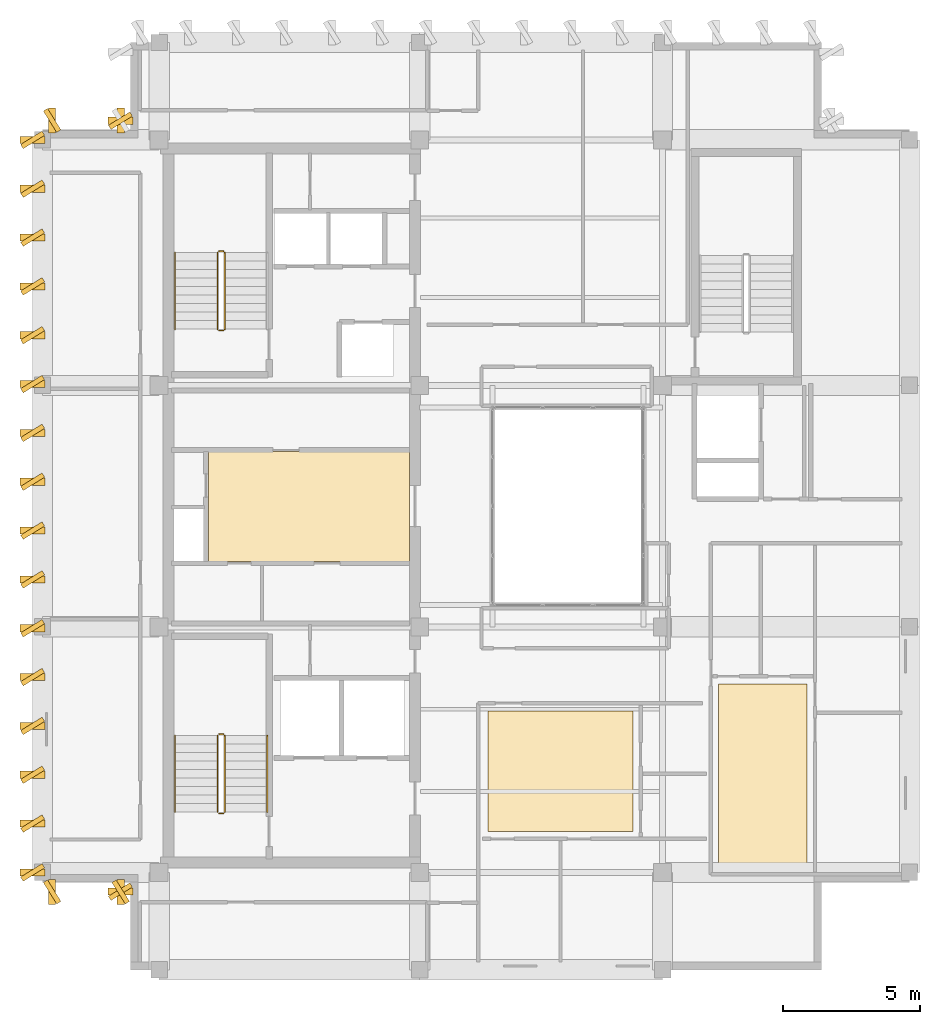
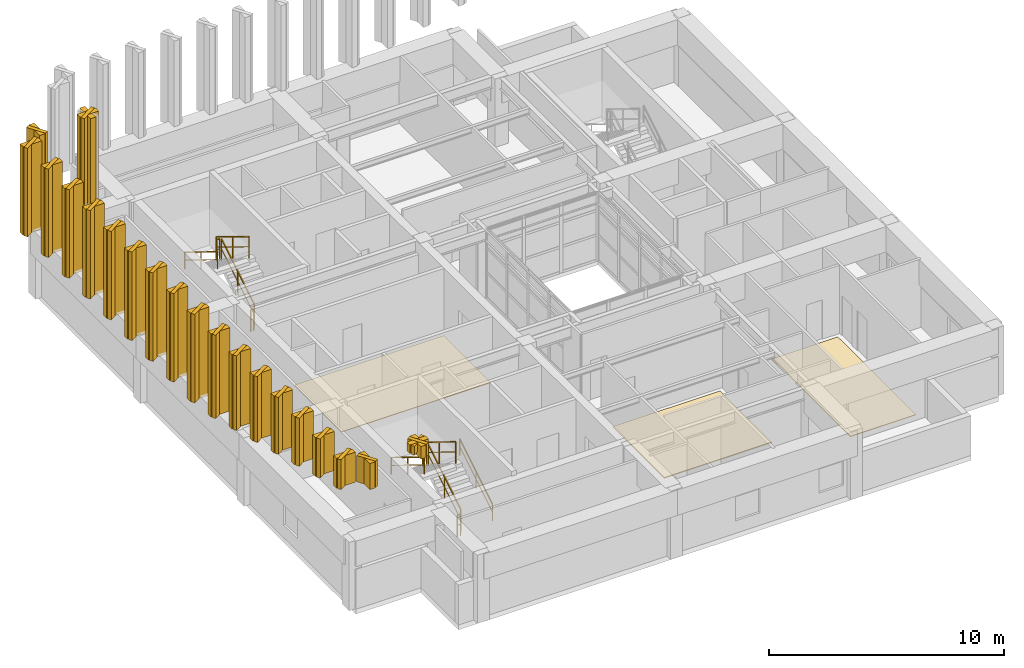
# One storey, part 10 of 11: 25 coverings, 21 shading devices, 11 railings.
"""IFC4 building model written with IfcOpenShell, lengths in metres."""

from ifc_helpers import new_model, si_unit, direction, frame, origin, origin_2d, place, context, subcontext, project, spatial, polyline, rectangle, outline, extrude, material, layer, layer_set, type_object, element, save


model = new_model("IFC4")

# Units and contexts
model_context = context("Model", 3, precision=1e-05, world=origin(), true_north=direction((0.0, 1.0)))
body_context = subcontext(model_context, "Body", "Model", "MODEL_VIEW")
ifc_project = project(units=[si_unit("LENGTHUNIT", "METRE"), si_unit("AREAUNIT", "SQUARE_METRE"), si_unit("VOLUMEUNIT", "CUBIC_METRE"), si_unit("PLANEANGLEUNIT", "RADIAN"), si_unit("MASSUNIT", "GRAM", prefix="KILO")], contexts=[model_context])

# Site, building, storey
site_placement = place(None, origin())
site = spatial("IfcSite", under=ifc_project, at=site_placement, CompositionType="ELEMENT")
building_placement = place(site_placement, origin())
building = spatial("IfcBuilding", under=site, at=building_placement, Name="Kundavana Baori Tower", CompositionType="ELEMENT")
storey_placement = place(building_placement, frame((0.0, 0.0, 346.699951171875)))
storey = spatial("IfcBuildingStorey", under=building, at=storey_placement, Name="L86", CompositionType="ELEMENT", Elevation=346.699951171875)

# Coverings
ifc_material_1 = material(Name="Honed Kota Stone and Terrazzo Flooring", Category="masonry")
ifc_layer_1 = layer(ifc_material_1, 0.0400390625, Name="COV-FLR-TERR-40")
ifc_layer_set_1 = layer_set([ifc_layer_1], Name="Honed Kota Stone and Terrazzo Flooring")
covering_type_1 = type_object("IfcCoveringType", Name="COV-FLR-TERR-40", PredefinedType="FLOORING", material=ifc_layer_set_1)
covering_1_placement = place(storey_placement, origin())
element("IfcCovering", 1, at=covering_1_placement, inside=storey, type_object=covering_type_1, Name="L86 Room Finished Stone Flooring 1", PredefinedType="FLOORING", context=body_context, shape_type="SweptSolid", body=[
    extrude(outline(polyline([(27.43994140625, 16.75), (32.719970703125, 16.75), (32.719970703125, 21.139892578125), (27.43994140625, 21.139892578125), (27.43994140625, 16.75)])), origin(), (0.0, 0.0, 1.0), 0.0400390625),
])
ifc_material_2 = material(Name="Honed Kota Stone and Terrazzo Flooring", Category="masonry")
ifc_layer_2 = layer(ifc_material_2, 0.030029296875, Name="COV-INT-FLR")
ifc_layer_set_2 = layer_set([ifc_layer_2], Name="Honed Kota Stone and Terrazzo Flooring")
covering_type_2 = type_object("IfcCoveringType", Name="COV-INT-FLR", PredefinedType="FLOORING", material=ifc_layer_set_2)
covering_2_placement = place(storey_placement, origin())
element("IfcCovering", 2, at=covering_2_placement, inside=storey, type_object=covering_type_2, Name="L86 Room Finished Stone Flooring 2", PredefinedType="FLOORING", context=body_context, shape_type="SweptSolid", body=[
    extrude(outline(polyline([(35.840087890625, 15.4599609375), (39.070068359375, 15.4599609375), (39.070068359375, 22.1201171875), (35.840087890625, 22.1201171875), (35.840087890625, 15.4599609375)])), origin(), (0.0, 0.0, 1.0), 0.030029296875),
])
covering_3_placement = place(storey_placement, origin())
element("IfcCovering", 3, at=covering_3_placement, inside=storey, type_object=covering_type_2, Name="L86 Core Lift Lobby Kota Stone Flooring", PredefinedType="FLOORING", context=body_context, shape_type="SweptSolid", body=[
    extrude(outline(polyline([(17.25, 26.580078125), (24.580078125, 26.580078125), (24.580078125, 30.60009765625), (17.25, 30.60009765625), (17.25, 26.580078125)])), origin(), (0.0, 0.0, 1.0), 0.030029296875),
])
ifc_material_3 = material(Name="Cream-White Makrana Limestone on Concrete C40/50", Category="masonry")
ifc_layer_3 = layer(ifc_material_3, 0.239990234375, Name="COV-SAIL-FIN")
ifc_layer_set_3 = layer_set([ifc_layer_3], Name="Cream-White Makrana Limestone on Concrete C40/50")
covering_type_3 = type_object("IfcCoveringType", Name="COV-SAIL-FIN", PredefinedType="CLADDING", material=ifc_layer_set_3)
covering_4_placement = place(storey_placement, frame((0.0, 0.0, 3.400146484375)))
element("IfcCovering", 4, at=covering_4_placement, inside=storey, type_object=covering_type_3, Name="L86 Climbing Makrana White Limestone Sail Fin 056", PredefinedType="CLADDING", context=body_context, shape_type="SweptSolid", body=[
    extrude(outline(polyline([(13.580078125, 42.52001953125), (14.5, 42.52001953125), (14.5, 42.780029296875), (13.580078125, 42.780029296875), (13.580078125, 42.52001953125)])), origin(), (0.0, 0.0, 1.0), 4.599853515625),
])
covering_5_placement = place(storey_placement, frame((0.0, 0.0, 3.400146484375)))
element("IfcCovering", 5, at=covering_5_placement, inside=storey, type_object=covering_type_3, Name="L86 Climbing Makrana White Limestone Sail Fin 057", PredefinedType="CLADDING", context=body_context, shape_type="SweptSolid", body=[
    extrude(outline(polyline([(13.919921875, 42.199951171875), (14.179931640625, 42.199951171875), (14.179931640625, 43.1201171875), (13.919921875, 43.1201171875), (13.919921875, 42.199951171875)])), origin(), (0.0, 0.0, 1.0), 4.599853515625),
])
covering_6_placement = place(storey_placement, frame((0.0, 0.0, 3.400146484375)))
element("IfcCovering", 6, at=covering_6_placement, inside=storey, type_object=covering_type_3, Name="L86 Climbing Makrana White Limestone Sail Fin 058", PredefinedType="CLADDING", context=body_context, shape_type="SweptSolid", body=[
    extrude(outline(polyline([(11.419921875, 42.199951171875), (11.679931640625, 42.199951171875), (11.679931640625, 43.1201171875), (11.419921875, 43.1201171875), (11.419921875, 42.199951171875)])), origin(), (0.0, 0.0, 1.0), 4.599853515625),
])
covering_7_placement = place(storey_placement, frame((0.0, 0.0, 3.400146484375)))
element("IfcCovering", 7, at=covering_7_placement, inside=storey, type_object=covering_type_3, Name="L86 Climbing Makrana White Limestone Sail Fin 059", PredefinedType="CLADDING", context=body_context, shape_type="SweptSolid", body=[
    extrude(outline(polyline([(10.3798828125, 41.820068359375), (11.300048828125, 41.820068359375), (11.300048828125, 42.080078125), (10.3798828125, 42.080078125), (10.3798828125, 41.820068359375)])), origin(), (0.0, 0.0, 1.0), 4.599853515625),
])
covering_8_placement = place(storey_placement, frame((0.0, 0.0, 3.400146484375)))
element("IfcCovering", 8, at=covering_8_placement, inside=storey, type_object=covering_type_3, Name="L86 Climbing Makrana White Limestone Sail Fin 060", PredefinedType="CLADDING", context=body_context, shape_type="SweptSolid", body=[
    extrude(outline(polyline([(10.3798828125, 40.0400390625), (11.300048828125, 40.0400390625), (11.300048828125, 40.300048828125), (10.3798828125, 40.300048828125), (10.3798828125, 40.0400390625)])), origin(), (0.0, 0.0, 1.0), 4.599853515625),
])
covering_9_placement = place(storey_placement, frame((0.0, 0.0, 3.400146484375)))
element("IfcCovering", 9, at=covering_9_placement, inside=storey, type_object=covering_type_3, Name="L86 Climbing Makrana White Limestone Sail Fin 061", PredefinedType="CLADDING", context=body_context, shape_type="SweptSolid", body=[
    extrude(outline(polyline([(10.3798828125, 38.260009765625), (11.300048828125, 38.260009765625), (11.300048828125, 38.52001953125), (10.3798828125, 38.52001953125), (10.3798828125, 38.260009765625)])), origin(), (0.0, 0.0, 1.0), 4.599853515625),
])
covering_10_placement = place(storey_placement, frame((0.0, 0.0, 3.400146484375)))
element("IfcCovering", 10, at=covering_10_placement, inside=storey, type_object=covering_type_3, Name="L86 Climbing Makrana White Limestone Sail Fin 062", PredefinedType="CLADDING", context=body_context, shape_type="SweptSolid", body=[
    extrude(outline(polyline([(10.3798828125, 36.47998046875), (11.300048828125, 36.47998046875), (11.300048828125, 36.739990234375), (10.3798828125, 36.739990234375), (10.3798828125, 36.47998046875)])), origin(), (0.0, 0.0, 1.0), 4.599853515625),
])
covering_11_placement = place(storey_placement, frame((0.0, 0.0, 3.400146484375)))
element("IfcCovering", 11, at=covering_11_placement, inside=storey, type_object=covering_type_3, Name="L86 Climbing Makrana White Limestone Sail Fin 063", PredefinedType="CLADDING", context=body_context, shape_type="SweptSolid", body=[
    extrude(outline(polyline([(10.3798828125, 34.699951171875), (11.300048828125, 34.699951171875), (11.300048828125, 34.9599609375), (10.3798828125, 34.9599609375), (10.3798828125, 34.699951171875)])), origin(), (0.0, 0.0, 1.0), 4.599853515625),
])
covering_12_placement = place(storey_placement, frame((0.0, 0.0, 3.400146484375)))
element("IfcCovering", 12, at=covering_12_placement, inside=storey, type_object=covering_type_3, Name="L86 Climbing Makrana White Limestone Sail Fin 064", PredefinedType="CLADDING", context=body_context, shape_type="SweptSolid", body=[
    extrude(outline(polyline([(10.3798828125, 32.919921875), (11.300048828125, 32.919921875), (11.300048828125, 33.179931640625), (10.3798828125, 33.179931640625), (10.3798828125, 32.919921875)])), origin(), (0.0, 0.0, 1.0), 4.599853515625),
])
covering_13_placement = place(storey_placement, frame((0.0, 0.0, 3.400146484375)))
element("IfcCovering", 13, at=covering_13_placement, inside=storey, type_object=covering_type_3, Name="L86 Climbing Makrana White Limestone Sail Fin 065", PredefinedType="CLADDING", context=body_context, shape_type="SweptSolid", body=[
    extrude(outline(polyline([(10.3798828125, 31.139892578125), (11.300048828125, 31.139892578125), (11.300048828125, 31.39990234375), (10.3798828125, 31.39990234375), (10.3798828125, 31.139892578125)])), origin(), (0.0, 0.0, 1.0), 4.599853515625),
])
covering_14_placement = place(storey_placement, frame((0.0, 0.0, 3.400146484375)))
element("IfcCovering", 14, at=covering_14_placement, inside=storey, type_object=covering_type_3, Name="L86 Climbing Makrana White Limestone Sail Fin 066", PredefinedType="CLADDING", context=body_context, shape_type="SweptSolid", body=[
    extrude(outline(polyline([(10.3798828125, 29.360107421875), (11.300048828125, 29.360107421875), (11.300048828125, 29.6201171875), (10.3798828125, 29.6201171875), (10.3798828125, 29.360107421875)])), origin(), (0.0, 0.0, 1.0), 4.599853515625),
])
covering_15_placement = place(storey_placement, frame((0.0, 0.0, 3.400146484375)))
element("IfcCovering", 15, at=covering_15_placement, inside=storey, type_object=covering_type_3, Name="L86 Climbing Makrana White Limestone Sail Fin 067", PredefinedType="CLADDING", context=body_context, shape_type="SweptSolid", body=[
    extrude(outline(polyline([(10.3798828125, 27.580078125), (11.300048828125, 27.580078125), (11.300048828125, 27.840087890625), (10.3798828125, 27.840087890625), (10.3798828125, 27.580078125)])), origin(), (0.0, 0.0, 1.0), 4.599853515625),
])
covering_16_placement = place(storey_placement, frame((0.0, 0.0, 3.666015625)))
element("IfcCovering", 16, at=covering_16_placement, inside=storey, type_object=covering_type_3, Name="L86 Climbing Makrana White Limestone Sail Fin 068", PredefinedType="CLADDING", context=body_context, shape_type="SweptSolid", body=[
    extrude(outline(polyline([(10.3798828125, 25.800048828125), (11.300048828125, 25.800048828125), (11.300048828125, 26.06005859375), (10.3798828125, 26.06005859375), (10.3798828125, 25.800048828125)])), origin(), (0.0, 0.0, 1.0), 4.333984375),
])
covering_17_placement = place(storey_placement, frame((0.0, 0.0, 4.1220703125)))
element("IfcCovering", 17, at=covering_17_placement, inside=storey, type_object=covering_type_3, Name="L86 Climbing Makrana White Limestone Sail Fin 069", PredefinedType="CLADDING", context=body_context, shape_type="SweptSolid", body=[
    extrude(outline(polyline([(10.3798828125, 24.02001953125), (11.300048828125, 24.02001953125), (11.300048828125, 24.280029296875), (10.3798828125, 24.280029296875), (10.3798828125, 24.02001953125)])), origin(), (0.0, 0.0, 1.0), 3.8779296875),
])
covering_18_placement = place(storey_placement, frame((0.0, 0.0, 4.58056640625)))
element("IfcCovering", 18, at=covering_18_placement, inside=storey, type_object=covering_type_3, Name="L86 Climbing Makrana White Limestone Sail Fin 070", PredefinedType="CLADDING", context=body_context, shape_type="SweptSolid", body=[
    extrude(outline(polyline([(10.3798828125, 22.239990234375), (11.300048828125, 22.239990234375), (11.300048828125, 22.5), (10.3798828125, 22.5), (10.3798828125, 22.239990234375)])), origin(), (0.0, 0.0, 1.0), 3.41943359375),
])
covering_19_placement = place(storey_placement, frame((0.0, 0.0, 5.0419921875)))
element("IfcCovering", 19, at=covering_19_placement, inside=storey, type_object=covering_type_3, Name="L86 Climbing Makrana White Limestone Sail Fin 071", PredefinedType="CLADDING", context=body_context, shape_type="SweptSolid", body=[
    extrude(outline(polyline([(10.3798828125, 20.4599609375), (11.300048828125, 20.4599609375), (11.300048828125, 20.719970703125), (10.3798828125, 20.719970703125), (10.3798828125, 20.4599609375)])), origin(), (0.0, 0.0, 1.0), 2.9580078125),
])
covering_20_placement = place(storey_placement, frame((0.0, 0.0, 5.50634765625)))
element("IfcCovering", 20, at=covering_20_placement, inside=storey, type_object=covering_type_3, Name="L86 Climbing Makrana White Limestone Sail Fin 072", PredefinedType="CLADDING", context=body_context, shape_type="SweptSolid", body=[
    extrude(outline(polyline([(10.3798828125, 18.679931640625), (11.300048828125, 18.679931640625), (11.300048828125, 18.93994140625), (10.3798828125, 18.93994140625), (10.3798828125, 18.679931640625)])), origin(), (0.0, 0.0, 1.0), 2.49365234375),
])
covering_21_placement = place(storey_placement, frame((0.0, 0.0, 5.9736328125)))
element("IfcCovering", 21, at=covering_21_placement, inside=storey, type_object=covering_type_3, Name="L86 Climbing Makrana White Limestone Sail Fin 073", PredefinedType="CLADDING", context=body_context, shape_type="SweptSolid", body=[
    extrude(outline(polyline([(10.3798828125, 16.89990234375), (11.300048828125, 16.89990234375), (11.300048828125, 17.159912109375), (10.3798828125, 17.159912109375), (10.3798828125, 16.89990234375)])), origin(), (0.0, 0.0, 1.0), 2.0263671875),
])
covering_22_placement = place(storey_placement, frame((0.0, 0.0, 6.444091796875)))
element("IfcCovering", 22, at=covering_22_placement, inside=storey, type_object=covering_type_3, Name="L86 Climbing Makrana White Limestone Sail Fin 074", PredefinedType="CLADDING", context=body_context, shape_type="SweptSolid", body=[
    extrude(outline(polyline([(10.3798828125, 15.1201171875), (11.300048828125, 15.1201171875), (11.300048828125, 15.3798828125), (10.3798828125, 15.3798828125), (10.3798828125, 15.1201171875)])), origin(), (0.0, 0.0, 1.0), 1.555908203125),
])
covering_23_placement = place(storey_placement, frame((0.0, 0.0, 6.636474609375)))
element("IfcCovering", 23, at=covering_23_placement, inside=storey, type_object=covering_type_3, Name="L86 Climbing Makrana White Limestone Sail Fin 075", PredefinedType="CLADDING", context=body_context, shape_type="SweptSolid", body=[
    extrude(outline(polyline([(11.419921875, 14.080078125), (11.679931640625, 14.080078125), (11.679931640625, 15.0), (11.419921875, 15.0), (11.419921875, 14.080078125)])), origin(), (0.0, 0.0, 1.0), 1.363525390625),
])
covering_24_placement = place(storey_placement, frame((0.0, 0.0, 7.35205078125)))
element("IfcCovering", 24, at=covering_24_placement, inside=storey, type_object=covering_type_3, Name="L86 Climbing Makrana White Limestone Sail Fin 076", PredefinedType="CLADDING", context=body_context, shape_type="SweptSolid", body=[
    extrude(outline(polyline([(13.919921875, 14.080078125), (14.179931640625, 14.080078125), (14.179931640625, 15.0), (13.919921875, 15.0), (13.919921875, 14.080078125)])), origin(), (0.0, 0.0, 1.0), 0.64794921875),
])
covering_25_placement = place(storey_placement, frame((0.0, 0.0, 7.547119140625)))
element("IfcCovering", 25, at=covering_25_placement, inside=storey, type_object=covering_type_3, Name="L86 Climbing Makrana White Limestone Sail Fin 077", PredefinedType="CLADDING", context=body_context, shape_type="SweptSolid", body=[
    extrude(outline(polyline([(13.580078125, 14.419921875), (14.5, 14.419921875), (14.5, 14.679931640625), (13.580078125, 14.679931640625), (13.580078125, 14.419921875)])), origin(), (0.0, 0.0, 1.0), 0.452880859375),
])

# Railings
ifc_material_4 = material(Name="Architectural Patinated Bronze Metalwork")
railing_type_1 = type_object("IfcRailingType", Name="RL-GRD-1150", PredefinedType="GUARDRAIL", material=ifc_material_4)
railing_1_placement = place(storey_placement, frame((17.840087890625, 17.449951171875, 0.18994140625)))
element("IfcRailing", 26, at=railing_1_placement, inside=storey, type_object=railing_type_1, Name="L86 ST1 stair guard 1", PredefinedType="GUARDRAIL", context=body_context, shape_type="SweptSolid", body=[
    extrude(rectangle(XDim=0.048095703125, YDim=0.048095703125, at=origin_2d()), frame((0.0, 0.0, 1.1259765625), z_axis=(0.0, 0.852576590321, 0.522602293945), x_axis=(-1.0, 0.0, 0.0)), (0.0, 0.0, 1.0), 3.2724609375),
    extrude(rectangle(XDim=0.03125, YDim=0.03125, at=origin_2d()), frame((0.0, 0.0, 0.597900390625), z_axis=(0.0, 0.852576590321, 0.522602293945), x_axis=(-1.0, 0.0, 0.0)), (0.0, 0.0, 1.0), 3.2724609375),
    extrude(rectangle(XDim=0.0419921875, YDim=0.0419921875, at=origin_2d()), origin(), (0.0, 0.0, 1.0), 1.101806640625),
    extrude(rectangle(XDim=0.0419921875, YDim=0.0419921875, at=origin_2d()), frame((0.0, 1.39501953125, 0.85498046875)), (0.0, 0.0, 1.0), 1.101806640625),
    extrude(rectangle(XDim=0.0419921875, YDim=0.0419921875, at=origin_2d()), frame((0.0, 2.7900390625, 1.710205078125)), (0.0, 0.0, 1.0), 1.101806640625),
])
railing_2_placement = place(storey_placement, frame((17.7900390625, 20.2900390625, 1.900146484375)))
element("IfcRailing", 27, at=railing_2_placement, inside=storey, type_object=railing_type_1, Name="L86 ST1 stair guard 2", PredefinedType="GUARDRAIL", context=body_context, shape_type="SweptSolid", body=[
    extrude(rectangle(XDim=0.048095703125, YDim=0.048095703125, at=origin_2d()), frame((0.0, 0.0, 1.1259765625), z_axis=(-1.0, 0.0, 0.0), x_axis=(0.0, -1.0, 0.0)), (0.0, 0.0, 1.0), 0.16015625),
    extrude(rectangle(XDim=0.03125, YDim=0.03125, at=origin_2d()), frame((0.0, 0.0, 0.597900390625), z_axis=(-1.0, 0.0, 0.0), x_axis=(0.0, -1.0, 0.0)), (0.0, 0.0, 1.0), 0.16015625),
    extrude(rectangle(XDim=0.0419921875, YDim=0.0419921875, at=origin_2d()), origin(), (0.0, 0.0, 1.0), 1.101806640625),
    extrude(rectangle(XDim=0.0419921875, YDim=0.0419921875, at=origin_2d()), frame((-0.16015625, 0.0, 0.0)), (0.0, 0.0, 1.0), 1.101806640625),
])
railing_3_placement = place(storey_placement, frame((17.580078125, 20.239990234375, 2.090087890625)))
element("IfcRailing", 28, at=railing_3_placement, inside=storey, type_object=railing_type_1, Name="L86 ST1 stair guard 3", PredefinedType="GUARDRAIL", context=body_context, shape_type="SweptSolid", body=[
    extrude(rectangle(XDim=0.048095703125, YDim=0.048095703125, at=origin_2d()), frame((0.0, 0.0, 1.1259765625), z_axis=(0.0, -0.852609830418, 0.522548061975), x_axis=(1.0, 0.0, 0.0)), (0.0, 0.0, 1.0), 3.2724609375),
    extrude(rectangle(XDim=0.03125, YDim=0.03125, at=origin_2d()), frame((0.0, 0.0, 0.597900390625), z_axis=(0.0, -0.852609830418, 0.522548061975), x_axis=(1.0, 0.0, 0.0)), (0.0, 0.0, 1.0), 3.2724609375),
    extrude(rectangle(XDim=0.0419921875, YDim=0.0419921875, at=origin_2d()), origin(), (0.0, 0.0, 1.0), 1.101806640625),
    extrude(rectangle(XDim=0.0419921875, YDim=0.0419921875, at=origin_2d()), frame((0.0, -1.39501953125, 0.85498046875)), (0.0, 0.0, 1.0), 1.101806640625),
    extrude(rectangle(XDim=0.0419921875, YDim=0.0419921875, at=origin_2d()), frame((0.0, -2.7900390625, 1.7099609375)), (0.0, 0.0, 1.0), 1.101806640625),
])
railing_4_placement = place(storey_placement, frame((17.7900390625, 17.39990234375, 0.0)))
element("IfcRailing", 29, at=railing_4_placement, inside=storey, type_object=railing_type_1, Name="L86 ST1 stair guard 4", PredefinedType="GUARDRAIL", context=body_context, shape_type="SweptSolid", body=[
    extrude(rectangle(XDim=0.048095703125, YDim=0.048095703125, at=origin_2d()), frame((0.0, 0.0, 1.1259765625), z_axis=(-1.0, 0.0, 0.0), x_axis=(0.0, -1.0, 0.0)), (0.0, 0.0, 1.0), 0.16015625),
    extrude(rectangle(XDim=0.03125, YDim=0.03125, at=origin_2d()), frame((0.0, 0.0, 0.597900390625), z_axis=(-1.0, 0.0, 0.0), x_axis=(0.0, -1.0, 0.0)), (0.0, 0.0, 1.0), 0.16015625),
    extrude(rectangle(XDim=0.0419921875, YDim=0.0419921875, at=origin_2d()), origin(), (0.0, 0.0, 1.0), 1.101806640625),
    extrude(rectangle(XDim=0.0419921875, YDim=0.0419921875, at=origin_2d()), frame((-0.16015625, 0.0, 0.0)), (0.0, 0.0, 1.0), 1.101806640625),
])
railing_5_placement = place(storey_placement, frame((17.840087890625, 35.050048828125, 0.18994140625)))
element("IfcRailing", 30, at=railing_5_placement, inside=storey, type_object=railing_type_1, Name="L86 ST2 stair guard 1", PredefinedType="GUARDRAIL", context=body_context, shape_type="SweptSolid", body=[
    extrude(rectangle(XDim=0.048095703125, YDim=0.048095703125, at=origin_2d()), frame((0.0, 0.0, 1.1259765625), z_axis=(0.0, 0.852576590321, 0.522602293945), x_axis=(-1.0, 0.0, 0.0)), (0.0, 0.0, 1.0), 3.2724609375),
    extrude(rectangle(XDim=0.03125, YDim=0.03125, at=origin_2d()), frame((0.0, 0.0, 0.597900390625), z_axis=(0.0, 0.852576590321, 0.522602293945), x_axis=(-1.0, 0.0, 0.0)), (0.0, 0.0, 1.0), 3.2724609375),
    extrude(rectangle(XDim=0.0419921875, YDim=0.0419921875, at=origin_2d()), origin(), (0.0, 0.0, 1.0), 1.101806640625),
    extrude(rectangle(XDim=0.0419921875, YDim=0.0419921875, at=origin_2d()), frame((0.0, 1.39501953125, 0.85498046875)), (0.0, 0.0, 1.0), 1.101806640625),
    extrude(rectangle(XDim=0.0419921875, YDim=0.0419921875, at=origin_2d()), frame((0.0, 2.7900390625, 1.710205078125)), (0.0, 0.0, 1.0), 1.101806640625),
])
railing_6_placement = place(storey_placement, frame((17.7900390625, 37.889892578125, 1.900146484375)))
element("IfcRailing", 31, at=railing_6_placement, inside=storey, type_object=railing_type_1, Name="L86 ST2 stair guard 2", PredefinedType="GUARDRAIL", context=body_context, shape_type="SweptSolid", body=[
    extrude(rectangle(XDim=0.048095703125, YDim=0.048095703125, at=origin_2d()), frame((0.0, 0.0, 1.1259765625), z_axis=(-1.0, 0.0, 0.0), x_axis=(0.0, -1.0, 0.0)), (0.0, 0.0, 1.0), 0.16015625),
    extrude(rectangle(XDim=0.03125, YDim=0.03125, at=origin_2d()), frame((0.0, 0.0, 0.597900390625), z_axis=(-1.0, 0.0, 0.0), x_axis=(0.0, -1.0, 0.0)), (0.0, 0.0, 1.0), 0.16015625),
    extrude(rectangle(XDim=0.0419921875, YDim=0.0419921875, at=origin_2d()), origin(), (0.0, 0.0, 1.0), 1.101806640625),
    extrude(rectangle(XDim=0.0419921875, YDim=0.0419921875, at=origin_2d()), frame((-0.16015625, 0.0, 0.0)), (0.0, 0.0, 1.0), 1.101806640625),
])
railing_7_placement = place(storey_placement, frame((17.580078125, 37.840087890625, 2.090087890625)))
element("IfcRailing", 32, at=railing_7_placement, inside=storey, type_object=railing_type_1, Name="L86 ST2 stair guard 3", PredefinedType="GUARDRAIL", context=body_context, shape_type="SweptSolid", body=[
    extrude(rectangle(XDim=0.048095703125, YDim=0.048095703125, at=origin_2d()), frame((0.0, 0.0, 1.1259765625), z_axis=(0.0, -0.852609830418, 0.522548061975), x_axis=(1.0, 0.0, 0.0)), (0.0, 0.0, 1.0), 3.2724609375),
    extrude(rectangle(XDim=0.03125, YDim=0.03125, at=origin_2d()), frame((0.0, 0.0, 0.597900390625), z_axis=(0.0, -0.852609830418, 0.522548061975), x_axis=(1.0, 0.0, 0.0)), (0.0, 0.0, 1.0), 3.2724609375),
    extrude(rectangle(XDim=0.0419921875, YDim=0.0419921875, at=origin_2d()), origin(), (0.0, 0.0, 1.0), 1.101806640625),
    extrude(rectangle(XDim=0.0419921875, YDim=0.0419921875, at=origin_2d()), frame((0.0, -1.39501953125, 0.85498046875)), (0.0, 0.0, 1.0), 1.101806640625),
    extrude(rectangle(XDim=0.0419921875, YDim=0.0419921875, at=origin_2d()), frame((0.0, -2.7900390625, 1.7099609375)), (0.0, 0.0, 1.0), 1.101806640625),
])
railing_8_placement = place(storey_placement, frame((17.7900390625, 35.0, 0.0)))
element("IfcRailing", 33, at=railing_8_placement, inside=storey, type_object=railing_type_1, Name="L86 ST2 stair guard 4", PredefinedType="GUARDRAIL", context=body_context, shape_type="SweptSolid", body=[
    extrude(rectangle(XDim=0.048095703125, YDim=0.048095703125, at=origin_2d()), frame((0.0, 0.0, 1.1259765625), z_axis=(-1.0, 0.0, 0.0), x_axis=(0.0, -1.0, 0.0)), (0.0, 0.0, 1.0), 0.16015625),
    extrude(rectangle(XDim=0.03125, YDim=0.03125, at=origin_2d()), frame((0.0, 0.0, 0.597900390625), z_axis=(-1.0, 0.0, 0.0), x_axis=(0.0, -1.0, 0.0)), (0.0, 0.0, 1.0), 0.16015625),
    extrude(rectangle(XDim=0.0419921875, YDim=0.0419921875, at=origin_2d()), origin(), (0.0, 0.0, 1.0), 1.101806640625),
    extrude(rectangle(XDim=0.0419921875, YDim=0.0419921875, at=origin_2d()), frame((-0.16015625, 0.0, 0.0)), (0.0, 0.0, 1.0), 1.101806640625),
])
ifc_material_5 = material(Name="Architectural Patinated Bronze Metalwork")
railing_type_2 = type_object("IfcRailingType", Name="RL-HND-920", PredefinedType="HANDRAIL", material=ifc_material_5)
railing_9_placement = place(storey_placement, frame((19.389892578125, 17.449951171875, 0.18994140625)))
element("IfcRailing", 34, at=railing_9_placement, inside=storey, type_object=railing_type_2, Name="L86 ST1 stair handrail 1", PredefinedType="HANDRAIL", context=body_context, shape_type="SweptSolid", body=[
    extrude(rectangle(XDim=0.048095703125, YDim=0.048095703125, at=origin_2d()), frame((0.0, 0.0, 0.8759765625), z_axis=(0.0, 0.852576590321, 0.522602293945), x_axis=(-1.0, 0.0, 0.0)), (0.0, 0.0, 1.0), 3.2724609375),
    extrude(rectangle(XDim=0.03125, YDim=0.03125, at=origin_2d()), frame((0.0, 0.0, 0.468017578125), z_axis=(0.0, 0.852576590321, 0.522602293945), x_axis=(-1.0, 0.0, 0.0)), (0.0, 0.0, 1.0), 3.2724609375),
    extrude(rectangle(XDim=0.0419921875, YDim=0.0419921875, at=origin_2d()), origin(), (0.0, 0.0, 1.0), 0.851806640625),
    extrude(rectangle(XDim=0.0419921875, YDim=0.0419921875, at=origin_2d()), frame((0.0, 1.39501953125, 0.85498046875)), (0.0, 0.0, 1.0), 0.851806640625),
    extrude(rectangle(XDim=0.0419921875, YDim=0.0419921875, at=origin_2d()), frame((0.0, 2.7900390625, 1.710205078125)), (0.0, 0.0, 1.0), 0.851806640625),
])
for number, where, name in (
    (35, (16.030029296875, 20.239990234375, 2.090087890625), "L86 ST1 stair handrail 2"),
    (36, (16.030029296875, 37.840087890625, 2.090087890625), "L86 ST2 stair handrail 2"),
):
    element("IfcRailing", number, at=place(storey_placement, frame(where)), inside=storey, type_object=railing_type_2, Name=name, PredefinedType="HANDRAIL", context=body_context, shape_type="SweptSolid", body=[
        extrude(rectangle(XDim=0.048095703125, YDim=0.048095703125, at=origin_2d()), frame((0.0, 0.0, 0.8759765625), z_axis=(0.0, -0.852609830418, 0.522548061975), x_axis=(1.0, 0.0, 0.0)), (0.0, 0.0, 1.0), 3.2724609375),
        extrude(rectangle(XDim=0.03125, YDim=0.03125, at=origin_2d()), frame((0.0, 0.0, 0.468017578125), z_axis=(0.0, -0.852609830418, 0.522548061975), x_axis=(1.0, 0.0, 0.0)), (0.0, 0.0, 1.0), 3.2724609375),
        extrude(rectangle(XDim=0.0419921875, YDim=0.0419921875, at=origin_2d()), origin(), (0.0, 0.0, 1.0), 0.851806640625),
        extrude(rectangle(XDim=0.0419921875, YDim=0.0419921875, at=origin_2d()), frame((0.0, -1.39501953125, 0.85498046875)), (0.0, 0.0, 1.0), 0.851806640625),
        extrude(rectangle(XDim=0.0419921875, YDim=0.0419921875, at=origin_2d()), frame((0.0, -2.7900390625, 1.7099609375)), (0.0, 0.0, 1.0), 0.851806640625),
    ])

# Shading devices
ifc_material_6 = material(Name="Red-Buff Dholpur Sandstone Cladding on Concrete C40/50", Category="masonry")
shading_device_type = type_object("IfcShadingDeviceType", Name="SHD-FIN-920", PredefinedType="JALOUSIE", material=ifc_material_6)
for number, where, z_axis, x_axis, name in (
    (37, (14.0400390625, 42.64990234375, 3.39990234375), (0.0, 0.0, 1.0), (-0.529919264233, 0.848048096156, 0.0), "L86 Sweeping Makrana Limestone Crown Sail Blade 056"),
    (38, (11.550048828125, 42.659912109375, 3.39990234375), (0.0, 0.0, 1.0), (0.848048096156, 0.529919264233, 0.0), "L86 Sweeping Makrana Limestone Crown Sail Blade 058"),
    (39, (10.840087890625, 41.949951171875, 3.39990234375), (0.0, 0.0, 1.0), (-0.529919264233, 0.848048096156, 0.0), "L86 Sweeping Makrana Limestone Crown Sail Blade 059"),
    (40, (10.840087890625, 40.169921875, 3.39990234375), (0.0, 0.0, 1.0), (-0.529919264233, 0.848048096156, 0.0), "L86 Sweeping Makrana Limestone Crown Sail Blade 060"),
    (41, (10.840087890625, 38.389892578125, 3.39990234375), (0.0, 0.0, 1.0), (-0.529919264233, 0.848048096156, 0.0), "L86 Sweeping Makrana Limestone Crown Sail Blade 061"),
    (42, (10.840087890625, 36.610107421875, 3.39990234375), (0.0, 0.0, 1.0), (-0.529919264233, 0.848048096156, 0.0), "L86 Sweeping Makrana Limestone Crown Sail Blade 062"),
    (43, (10.840087890625, 34.830078125, 3.39990234375), (0.0, 0.0, 1.0), (-0.529919264233, 0.848048096156, 0.0), "L86 Sweeping Makrana Limestone Crown Sail Blade 063"),
    (44, (10.840087890625, 33.050048828125, 3.39990234375), (0.0, 0.0, 1.0), (-0.529919264233, 0.848048096156, 0.0), "L86 Sweeping Makrana Limestone Crown Sail Blade 064"),
    (45, (10.840087890625, 31.27001953125, 3.39990234375), (0.0, 0.0, 1.0), (-0.529919264233, 0.848048096156, 0.0), "L86 Sweeping Makrana Limestone Crown Sail Blade 065"),
    (46, (10.840087890625, 29.489990234375, 3.39990234375), (0.0, 0.0, 1.0), (-0.529919264233, 0.848048096156, 0.0), "L86 Sweeping Makrana Limestone Crown Sail Blade 066"),
    (47, (10.840087890625, 27.7099609375, 3.39990234375), (0.0, 0.0, 1.0), (-0.529919264233, 0.848048096156, 0.0), "L86 Sweeping Makrana Limestone Crown Sail Blade 067"),
):
    element("IfcShadingDevice", number, at=place(storey_placement, frame(where, z_axis=z_axis, x_axis=x_axis)), inside=storey, type_object=shading_device_type, Name=name, PredefinedType="JALOUSIE", context=body_context, shape_type="SweptSolid", body=[
        extrude(rectangle(XDim=0.179931640625, YDim=0.919921875, at=origin_2d()), origin(), (0.0, 0.0, 1.0), 4.60009765625),
    ])
shading_device_1_placement = place(storey_placement, frame((10.840087890625, 25.929931640625, 3.666015625), z_axis=(0.0, 0.0, 1.0), x_axis=(-0.529919264233, 0.848048096156, 0.0)))
element("IfcShadingDevice", 48, at=shading_device_1_placement, inside=storey, type_object=shading_device_type, Name="L86 Sweeping Makrana Limestone Crown Sail Blade 068", PredefinedType="JALOUSIE", context=body_context, shape_type="SweptSolid", body=[
    extrude(rectangle(XDim=0.179931640625, YDim=0.919921875, at=origin_2d()), origin(), (0.0, 0.0, 1.0), 4.333984375),
])
shading_device_2_placement = place(storey_placement, frame((10.840087890625, 24.14990234375, 4.1220703125), z_axis=(0.0, 0.0, 1.0), x_axis=(-0.529919264233, 0.848048096156, 0.0)))
element("IfcShadingDevice", 49, at=shading_device_2_placement, inside=storey, type_object=shading_device_type, Name="L86 Sweeping Makrana Limestone Crown Sail Blade 069", PredefinedType="JALOUSIE", context=body_context, shape_type="SweptSolid", body=[
    extrude(rectangle(XDim=0.179931640625, YDim=0.919921875, at=origin_2d()), origin(), (0.0, 0.0, 1.0), 3.878173828125),
])
shading_device_3_placement = place(storey_placement, frame((10.840087890625, 22.3701171875, 4.58056640625), z_axis=(0.0, 0.0, 1.0), x_axis=(-0.529919264233, 0.848048096156, 0.0)))
element("IfcShadingDevice", 50, at=shading_device_3_placement, inside=storey, type_object=shading_device_type, Name="L86 Sweeping Makrana Limestone Crown Sail Blade 070", PredefinedType="JALOUSIE", context=body_context, shape_type="SweptSolid", body=[
    extrude(rectangle(XDim=0.179931640625, YDim=0.919921875, at=origin_2d()), origin(), (0.0, 0.0, 1.0), 3.41943359375),
])
shading_device_4_placement = place(storey_placement, frame((10.840087890625, 20.590087890625, 5.0419921875), z_axis=(0.0, 0.0, 1.0), x_axis=(-0.529919264233, 0.848048096156, 0.0)))
element("IfcShadingDevice", 51, at=shading_device_4_placement, inside=storey, type_object=shading_device_type, Name="L86 Sweeping Makrana Limestone Crown Sail Blade 071", PredefinedType="JALOUSIE", context=body_context, shape_type="SweptSolid", body=[
    extrude(rectangle(XDim=0.179931640625, YDim=0.919921875, at=origin_2d()), origin(), (0.0, 0.0, 1.0), 2.9580078125),
])
shading_device_5_placement = place(storey_placement, frame((10.840087890625, 18.81005859375, 5.50634765625), z_axis=(0.0, 0.0, 1.0), x_axis=(-0.529919264233, 0.848048096156, 0.0)))
element("IfcShadingDevice", 52, at=shading_device_5_placement, inside=storey, type_object=shading_device_type, Name="L86 Sweeping Makrana Limestone Crown Sail Blade 072", PredefinedType="JALOUSIE", context=body_context, shape_type="SweptSolid", body=[
    extrude(rectangle(XDim=0.179931640625, YDim=0.919921875, at=origin_2d()), origin(), (0.0, 0.0, 1.0), 2.493896484375),
])
shading_device_6_placement = place(storey_placement, frame((10.840087890625, 17.030029296875, 5.9736328125), z_axis=(0.0, 0.0, 1.0), x_axis=(-0.529919264233, 0.848048096156, 0.0)))
element("IfcShadingDevice", 53, at=shading_device_6_placement, inside=storey, type_object=shading_device_type, Name="L86 Sweeping Makrana Limestone Crown Sail Blade 073", PredefinedType="JALOUSIE", context=body_context, shape_type="SweptSolid", body=[
    extrude(rectangle(XDim=0.179931640625, YDim=0.919921875, at=origin_2d()), origin(), (0.0, 0.0, 1.0), 2.026611328125),
])
shading_device_7_placement = place(storey_placement, frame((10.840087890625, 15.25, 6.4443359375), z_axis=(0.0, 0.0, 1.0), x_axis=(-0.529919264233, 0.848048096156, 0.0)))
element("IfcShadingDevice", 54, at=shading_device_7_placement, inside=storey, type_object=shading_device_type, Name="L86 Sweeping Makrana Limestone Crown Sail Blade 074", PredefinedType="JALOUSIE", context=body_context, shape_type="SweptSolid", body=[
    extrude(rectangle(XDim=0.179931640625, YDim=0.919921875, at=origin_2d()), origin(), (0.0, 0.0, 1.0), 1.555908203125),
])
shading_device_8_placement = place(storey_placement, frame((11.550048828125, 14.5400390625, 6.63671875), z_axis=(0.0, 0.0, 1.0), x_axis=(0.848048096156, 0.529919264233, 0.0)))
element("IfcShadingDevice", 55, at=shading_device_8_placement, inside=storey, type_object=shading_device_type, Name="L86 Sweeping Makrana Limestone Crown Sail Blade 075", PredefinedType="JALOUSIE", context=body_context, shape_type="SweptSolid", body=[
    extrude(rectangle(XDim=0.179931640625, YDim=0.919921875, at=origin_2d()), origin(), (0.0, 0.0, 1.0), 1.363525390625),
])
shading_device_9_placement = place(storey_placement, frame((14.050048828125, 14.5400390625, 7.35205078125), z_axis=(0.0, 0.0, 1.0), x_axis=(0.848048096156, 0.529919264233, 0.0)))
element("IfcShadingDevice", 56, at=shading_device_9_placement, inside=storey, type_object=shading_device_type, Name="L86 Sweeping Makrana Limestone Crown Sail Blade 076", PredefinedType="JALOUSIE", context=body_context, shape_type="SweptSolid", body=[
    extrude(rectangle(XDim=0.179931640625, YDim=0.919921875, at=origin_2d()), origin(), (0.0, 0.0, 1.0), 0.648193359375),
])
shading_device_10_placement = place(storey_placement, frame((14.0400390625, 14.550048828125, 7.546875), z_axis=(0.0, 0.0, 1.0), x_axis=(-0.529919264233, 0.848048096156, 0.0)))
element("IfcShadingDevice", 57, at=shading_device_10_placement, inside=storey, type_object=shading_device_type, Name="L86 Sweeping Makrana Limestone Crown Sail Blade 077", PredefinedType="JALOUSIE", context=body_context, shape_type="SweptSolid", body=[
    extrude(rectangle(XDim=0.179931640625, YDim=0.919921875, at=origin_2d()), origin(), (0.0, 0.0, 1.0), 0.452880859375),
])

save(model, "model.ifc")
